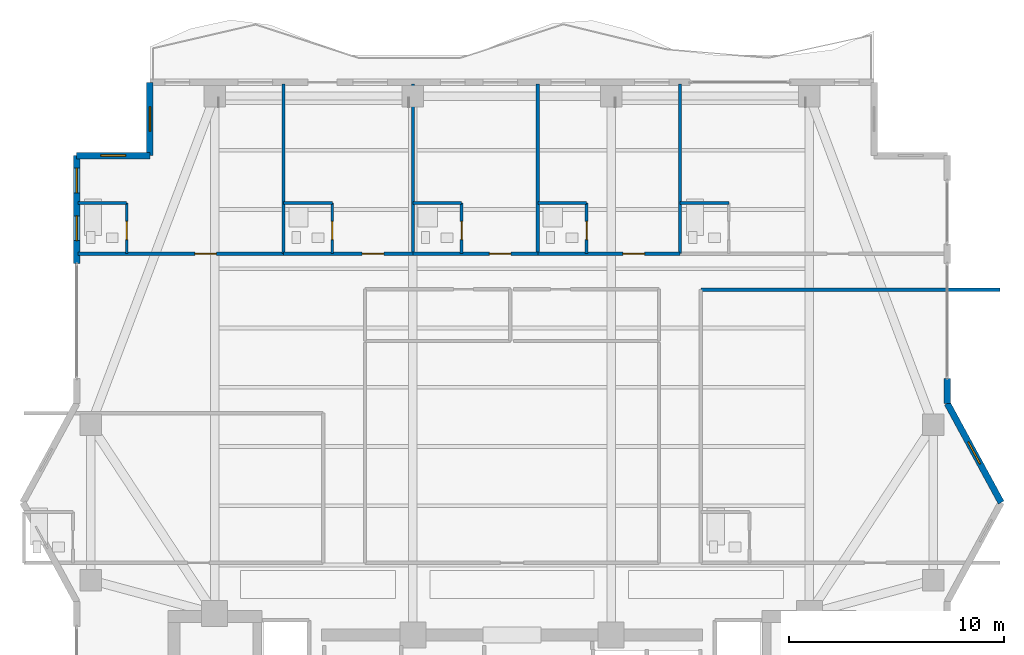
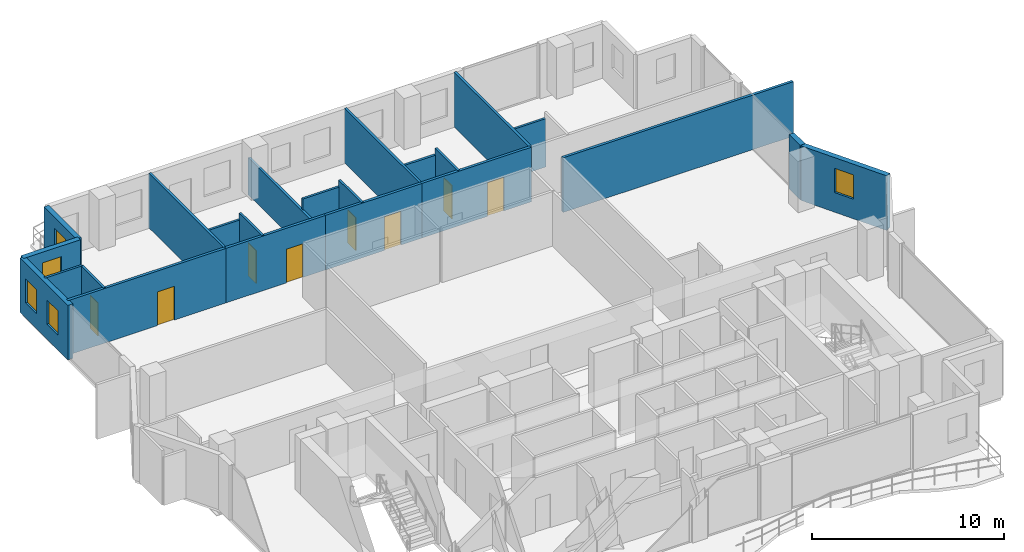
# One storey, part 23 of 28: 23 walls, 8 doors, 5 windows, 13 openings.
"""IFC4 building model written with IfcOpenShell, lengths in metres."""

import ifcopenshell
import ifcopenshell.guid

model = None  # the IFC model being written
_history = None  # IfcOwnerHistory: only IFC2X3 demands one
_inside = {}  # id of a spatial element -> (the spatial element, [elements in it])
_under = {}  # id of a project, library or spatial element -> (it, [spatial elements below it])
_declared = {}  # id of a project -> (the project, [libraries it declares])
_typed = {}  # id of a type object -> (the type object, [elements of that type])
_made_of = {}  # id of a material, layer set ... -> (it, [elements and type objects made of it])


def new_model(schema):
    """Start an empty IFC model of exactly this schema.

    Asked for "IFC4X3", IfcOpenShell would pick the latest addendum, in which some entities
    have other attributes; the version numbers below select the first issue.
    IFC2X3 requires an IfcOwnerHistory on every rooted entity: one is made here for all.
    """
    global model, _history
    if schema == "IFC4X3":
        model = ifcopenshell.file(schema_version=(4, 3, 0, 0))
    else:
        model = ifcopenshell.file(schema=schema)
    _inside.clear()
    _under.clear()
    _declared.clear()
    _typed.clear()
    _made_of.clear()
    _history = None
    if model.schema == "IFC2X3":
        org = make("IfcOrganization", Name="unknown")
        user = make(
            "IfcPersonAndOrganization",
            ThePerson=make("IfcPerson", FamilyName="unknown"),
            TheOrganization=org,
        )
        app = make(
            "IfcApplication",
            ApplicationDeveloper=org,
            Version="unknown",
            ApplicationFullName="unknown",
            ApplicationIdentifier="unknown",
        )
        _history = make(
            "IfcOwnerHistory",
            OwningUser=user,
            OwningApplication=app,
            ChangeAction="ADDED",
            CreationDate=0,
        )
    return model


def make(cls, **values):
    """One entity of the class cls with the attributes given. An attribute that is None is left unset."""
    return model.create_entity(
        cls, **{name: value for name, value in values.items() if value is not None}
    )


def rooted(cls, **values):
    """An entity with a GlobalId (a new one), such as an element, a storey or a relation."""
    return make(cls, GlobalId=ifcopenshell.guid.new(), OwnerHistory=_history, **values)


def si_unit(unit_type, name, prefix=None):
    """IfcSIUnit, for example si_unit("LENGTHUNIT", "METRE", prefix="MILLI")."""
    return make("IfcSIUnit", UnitType=unit_type, Prefix=prefix, Name=name)


def assignment(units):
    """IfcUnitAssignment: the units of a project."""
    return None if units is None else make("IfcUnitAssignment", Units=units)


def point(xyz):
    """IfcCartesianPoint."""
    return None if xyz is None else make("IfcCartesianPoint", Coordinates=xyz)


def direction(xyz):
    """IfcDirection."""
    return None if xyz is None else make("IfcDirection", DirectionRatios=xyz)


def frame(location, z_axis=None, x_axis=None):
    """IfcAxis2Placement3D, a coordinate frame: its origin and axes. An axis left out is left unset."""
    return make(
        "IfcAxis2Placement3D",
        Location=point(location),
        Axis=direction(z_axis),
        RefDirection=direction(x_axis),
    )


def frame_2d(location, x_axis=None):
    """IfcAxis2Placement2D, a coordinate frame in the plane: its origin and x axis."""
    return make(
        "IfcAxis2Placement2D", Location=point(location), RefDirection=direction(x_axis)
    )


def origin():
    """The frame at (0, 0, 0) with its axes left unset."""
    return frame((0.0, 0.0, 0.0))


def place(relative_to, where):
    """IfcLocalPlacement: puts the frame where relative to a parent placement (None: the world)."""
    return make(
        "IfcLocalPlacement", PlacementRelTo=relative_to, RelativePlacement=where
    )


def context(
    kind, dimensions, precision=None, world=None, true_north=None, identifier=None
):
    """IfcGeometricRepresentationContext, for example the 3D "Model" context."""
    return make(
        "IfcGeometricRepresentationContext",
        ContextIdentifier=identifier,
        ContextType=kind,
        CoordinateSpaceDimension=dimensions,
        Precision=precision,
        WorldCoordinateSystem=world,
        TrueNorth=true_north,
    )


def subcontext(parent, identifier, kind, view, scale=None):
    """IfcGeometricRepresentationSubContext, for example "Body" below "Model"."""
    return make(
        "IfcGeometricRepresentationSubContext",
        ContextIdentifier=identifier,
        ContextType=kind,
        ParentContext=parent,
        TargetScale=scale,
        TargetView=view,
    )


def project(units=None, contexts=None):
    """IfcProject with its units and contexts."""
    return rooted(
        "IfcProject",
        Name="project",
        RepresentationContexts=contexts,
        UnitsInContext=assignment(units),
    )


def spatial(cls, under=None, at=None, **own):
    """A site, building, storey or space (cls), placed at a placement, below another one or the project."""
    s = rooted(cls, ObjectPlacement=at, **own)
    if under is not None:
        _under.setdefault(under.id(), (under, []))[1].append(s)
    return s


def profile(cls, at=None, kind="AREA", **sizes):
    """A parametric profile (cls). Its sizes go by their IFC names, for example OverallWidth=200.0."""
    return make(cls, ProfileType=kind, Position=at, **sizes)


def rectangle(**sizes):
    """IfcRectangleProfileDef."""
    return profile("IfcRectangleProfileDef", **sizes)


def extrude(swept, where, along, depth):
    """IfcExtrudedAreaSolid: the profile swept, set in the frame where, extruded along a direction by depth."""
    return make(
        "IfcExtrudedAreaSolid",
        SweptArea=swept,
        Position=where,
        ExtrudedDirection=direction(along),
        Depth=depth,
    )


def shape(context_of_items, identifier, shape_type, items):
    """IfcShapeRepresentation: the items that make up one representation, for example the "Body"."""
    return make(
        "IfcShapeRepresentation",
        ContextOfItems=context_of_items,
        RepresentationIdentifier=identifier,
        RepresentationType=shape_type,
        Items=items,
    )


def material(Name=None, Category=None):
    """IfcMaterial."""
    return make("IfcMaterial", Name=Name, Category=Category)


def layer(
    of_material, thickness, ventilated=None, Name=None, Category=None, Priority=None
):
    """IfcMaterialLayer: one layer of a wall or slab, of a material (None: an air gap)."""
    return make(
        "IfcMaterialLayer",
        Material=of_material,
        LayerThickness=thickness,
        IsVentilated=ventilated,
        Name=Name,
        Category=Category,
        Priority=Priority,
    )


def layer_set(layers, Name=None):
    """IfcMaterialLayerSet."""
    return make("IfcMaterialLayerSet", MaterialLayers=layers, LayerSetName=Name)


def made_of(thing, what):
    """Note that an element or type object is made of a material, layer set ...; save() writes the relation."""
    if what is not None:
        _made_of.setdefault(what.id(), (what, []))[1].append(thing)
    return thing


def type_object(cls, material=None, **own):
    """A type object (cls), such as IfcWallType, which elements share."""
    return made_of(rooted(cls, **own), material)


def element(
    cls,
    number,
    at=None,
    inside=None,
    cuts=None,
    type_object=None,
    material=None,
    context=None,
    identifier="Body",
    shape_type=None,
    held_by="IfcProductDefinitionShape",
    body=None,
    shapes=None,
    **own,
):
    """One element of the class cls, such as IfcWall. Its Tag is "e" and its number.

    at: its placement. inside: the storey or other place that contains it. cuts: it is an
    opening in that element (IfcRelVoidsElement). A single representation is given by context,
    identifier, shape_type and body (its items); several are given by shapes. held_by: the class
    of the entity that holds the representations. save() writes the other relations.
    """
    e = rooted(cls, Tag="e%d" % number, ObjectPlacement=at, **own)
    if body is not None:
        shapes = [shape(context, identifier, shape_type, body)]
    if shapes is not None:
        e.Representation = make(held_by, Representations=shapes)
    if inside is not None:
        _inside.setdefault(inside.id(), (inside, []))[1].append(e)
    if cuts is not None:
        rooted(
            "IfcRelVoidsElement", RelatingBuildingElement=cuts, RelatedOpeningElement=e
        )
    if type_object is not None:
        _typed.setdefault(type_object.id(), (type_object, []))[1].append(e)
    return made_of(e, material)


def fill(opening, filler):
    """IfcRelFillsElement: the door or window that sits in an opening."""
    return rooted(
        "IfcRelFillsElement",
        RelatingOpeningElement=opening,
        RelatedBuildingElement=filler,
    )


def aggregate(whole, parts):
    """IfcRelAggregates: a whole, such as a stair, and the parts it consists of."""
    return rooted("IfcRelAggregates", RelatingObject=whole, RelatedObjects=parts)


def save(model, path):
    """Write the relations noted so far, then the file.

    IfcRelAggregates (storeys below a building ...), IfcRelContainedInSpatialStructure (elements
    in a storey), IfcRelDefinesByType, IfcRelAssociatesMaterial and IfcRelDeclares: one each for
    every whole, place, type object, material and project.
    """
    for whole, parts in _under.values():
        aggregate(whole, parts)
    for where, things in _inside.values():
        rooted(
            "IfcRelContainedInSpatialStructure",
            RelatedElements=things,
            RelatingStructure=where,
        )
    for kind, things in _typed.values():
        rooted("IfcRelDefinesByType", RelatedObjects=things, RelatingType=kind)
    for what, things in _made_of.values():
        rooted("IfcRelAssociatesMaterial", RelatedObjects=things, RelatingMaterial=what)
    for by, libraries in _declared.values():
        rooted("IfcRelDeclares", RelatingContext=by, RelatedDefinitions=libraries)
    model.write(path)


model = new_model("IFC4")

# Units and contexts
model_context = context("Model", 3, precision=1e-05, world=origin(), true_north=direction((0.0, 1.0)))
body_context = subcontext(model_context, "Body", "Model", "MODEL_VIEW")
ifc_project = project(units=[si_unit("LENGTHUNIT", "METRE"), si_unit("AREAUNIT", "SQUARE_METRE"), si_unit("VOLUMEUNIT", "CUBIC_METRE"), si_unit("PLANEANGLEUNIT", "RADIAN"), si_unit("MASSUNIT", "GRAM", prefix="KILO")], contexts=[model_context])

# Site, building, storey
site_placement = place(None, origin())
site = spatial("IfcSite", under=ifc_project, at=site_placement, CompositionType="ELEMENT")
building_placement = place(site_placement, origin())
building = spatial("IfcBuilding", under=site, at=building_placement, Name="Zuhayl Quay Hotel", CompositionType="ELEMENT")
storey_placement = place(building_placement, frame((0.0, 0.0, 239.64990234375)))
storey = spatial("IfcBuildingStorey", under=building, at=storey_placement, Name="L60", CompositionType="ELEMENT", Elevation=239.64990234375)

# Wall, openings, windows
ifc_material_1 = material(Name="Precast concrete C45/55", Category="concrete")
ifc_layer_1 = layer(ifc_material_1, 0.300048828125, Name="Precast concrete C45/55", Category="concrete")
ifc_layer_set_1 = layer_set([ifc_layer_1], Name="Precast concrete C45/55")
wall_type_1 = type_object("IfcWallType", Name="WL_EXT_300", PredefinedType="STANDARD", material=ifc_layer_set_1)
wall_1_placement = place(storey_placement, frame((-20.199951171875, 30.60009765625, 0.0), z_axis=(0.0, 0.0, 1.0), x_axis=(0.0, 1.0, 0.0)))
wall_1 = element("IfcWall", 1, at=wall_1_placement, inside=storey, type_object=wall_type_1, Name="L60 Exterior Precast Wall ENV_L60_E05_EW2", PredefinedType="STANDARD", context=body_context, shape_type="SweptSolid", body=[
    extrude(rectangle(XDim=5.0, YDim=0.300048828125, at=frame_2d((2.5, 0.0))), origin(), (0.0, 0.0, 1.0), 3.47998046875),
])
opening_1_placement = place(wall_1_placement, frame((1.054931640625, 0.0, 0.949951171875)))
opening_1 = element("IfcOpeningElement", 2, at=opening_1_placement, cuts=wall_1, Name="Opening W01N", PredefinedType="OPENING", context=body_context, shape_type="SweptSolid", body=[
    extrude(rectangle(XDim=1.14990234375, YDim=1.550048828125, at=frame_2d((0.574951171875, 0.77490234375))), frame((0.0, 0.159912109375, 0.0), z_axis=(0.0, -1.0, 0.0), x_axis=(1.0, 0.0, 0.0)), (0.0, 0.0, 1.0), 0.320068359375),
])
opening_2_placement = place(wall_1_placement, frame((3.27001953125, 0.0, 0.949951171875)))
opening_2 = element("IfcOpeningElement", 3, at=opening_2_placement, cuts=wall_1, Name="Opening W01N", PredefinedType="OPENING", context=body_context, shape_type="SweptSolid", body=[
    extrude(rectangle(XDim=1.14990234375, YDim=1.550048828125, at=frame_2d((0.574951171875, 0.77490234375))), frame((0.0, 0.159912109375, 0.0), z_axis=(0.0, -1.0, 0.0), x_axis=(1.0, 0.0, 0.0)), (0.0, 0.0, 1.0), 0.320068359375),
])
ifc_material_2 = material(Name="Dark Ceramic-Fritted Solar Glass", Category="glass")
window_type = type_object("IfcWindowType", Name="WN_NOTCH_1350", PartitioningType="SINGLE_PANEL", PredefinedType="WINDOW", material=ifc_material_2)
window_1_placement = place(opening_1_placement, origin())
window_1 = element("IfcWindow", 4, at=window_1_placement, inside=storey, type_object=window_type, Name="L60 Operable Facade Window 2-1", OverallHeight=1.550048828125, OverallWidth=1.14990234375, PartitioningType="SINGLE_PANEL", PredefinedType="WINDOW", context=body_context, shape_type="SweptSolid", body=[
    extrude(rectangle(XDim=1.14990234375, YDim=1.550048828125, at=frame_2d((0.574951171875, 0.77490234375))), frame((0.0, 0.030029296875, 0.0), z_axis=(0.0, -1.0, 0.0), x_axis=(1.0, 0.0, 0.0)), (0.0, 0.0, 1.0), 0.06005859375),
])
fill(opening_1, window_1)
window_2_placement = place(opening_2_placement, origin())
window_2 = element("IfcWindow", 5, at=window_2_placement, inside=storey, type_object=window_type, Name="L60 Operable Facade Window 2-2", OverallHeight=1.550048828125, OverallWidth=1.14990234375, PartitioningType="SINGLE_PANEL", PredefinedType="WINDOW", context=body_context, shape_type="SweptSolid", body=[
    extrude(rectangle(XDim=1.14990234375, YDim=1.550048828125, at=frame_2d((0.574951171875, 0.77490234375))), frame((0.0, 0.030029296875, 0.0), z_axis=(0.0, -1.0, 0.0), x_axis=(1.0, 0.0, 0.0)), (0.0, 0.0, 1.0), 0.06005859375),
])
fill(opening_2, window_2)

# Wall, opening, window
wall_2_placement = place(storey_placement, frame((-20.199951171875, 35.60009765625, 0.0), z_axis=(0.0, 0.0, 1.0), x_axis=(1.0, 0.0, 0.0)))
wall_2 = element("IfcWall", 6, at=wall_2_placement, inside=storey, type_object=wall_type_1, Name="L60 Exterior Precast Wall ENV_L60_EW06", PredefinedType="STANDARD", context=body_context, shape_type="SweptSolid", body=[
    extrude(rectangle(XDim=3.39990234375, YDim=0.300048828125, at=frame_2d((1.699951171875, 0.0))), origin(), (0.0, 0.0, 1.0), 3.47998046875),
])
opening_3_placement = place(wall_2_placement, frame((1.125, 0.0, 1.25)))
opening_3 = element("IfcOpeningElement", 7, at=opening_3_placement, cuts=wall_2, Name="Opening W01N", PredefinedType="OPENING", context=body_context, shape_type="SweptSolid", body=[
    extrude(rectangle(XDim=1.14990234375, YDim=1.550048828125, at=frame_2d((0.574951171875, 0.77490234375))), frame((0.0, 0.159912109375, 0.0), z_axis=(0.0, -1.0, 0.0), x_axis=(1.0, 0.0, 0.0)), (0.0, 0.0, 1.0), 0.320068359375),
])
window_3_placement = place(opening_3_placement, origin())
window_3 = element("IfcWindow", 8, at=window_3_placement, inside=storey, type_object=window_type, Name="L60 Corner Notch Window 6", OverallHeight=1.550048828125, OverallWidth=1.14990234375, PartitioningType="SINGLE_PANEL", PredefinedType="WINDOW", context=body_context, shape_type="SweptSolid", body=[
    extrude(rectangle(XDim=1.14990234375, YDim=1.550048828125, at=frame_2d((0.574951171875, 0.77490234375))), frame((0.0, 0.030029296875, 0.0), z_axis=(0.0, -1.0, 0.0), x_axis=(1.0, 0.0, 0.0)), (0.0, 0.0, 1.0), 0.06005859375),
])
fill(opening_3, window_3)

wall_3_placement = place(storey_placement, frame((-16.800048828125, 35.60009765625, 0.0), z_axis=(0.0, 0.0, 1.0), x_axis=(0.0, 1.0, 0.0)))
wall_3 = element("IfcWall", 9, at=wall_3_placement, inside=storey, type_object=wall_type_1, Name="L60 Exterior Precast Wall ENV_L60_EW07", PredefinedType="STANDARD", context=body_context, shape_type="SweptSolid", body=[
    extrude(rectangle(XDim=3.39990234375, YDim=0.300048828125, at=frame_2d((1.699951171875, 0.0))), origin(), (0.0, 0.0, 1.0), 3.47998046875),
])
opening_4_placement = place(wall_3_placement, frame((1.125, 0.0, 1.25)))
opening_4 = element("IfcOpeningElement", 10, at=opening_4_placement, cuts=wall_3, Name="Opening W01N", PredefinedType="OPENING", context=body_context, shape_type="SweptSolid", body=[
    extrude(rectangle(XDim=1.14990234375, YDim=1.550048828125, at=frame_2d((0.574951171875, 0.77490234375))), frame((0.0, 0.159912109375, 0.0), z_axis=(0.0, -1.0, 0.0), x_axis=(1.0, 0.0, 0.0)), (0.0, 0.0, 1.0), 0.320068359375),
])
window_4_placement = place(opening_4_placement, origin())
window_4 = element("IfcWindow", 11, at=window_4_placement, inside=storey, type_object=window_type, Name="L60 Corner Notch Window 7", OverallHeight=1.550048828125, OverallWidth=1.14990234375, PartitioningType="SINGLE_PANEL", PredefinedType="WINDOW", context=body_context, shape_type="SweptSolid", body=[
    extrude(rectangle(XDim=1.14990234375, YDim=1.550048828125, at=frame_2d((0.574951171875, 0.77490234375))), frame((0.0, 0.030029296875, 0.0), z_axis=(0.0, -1.0, 0.0), x_axis=(1.0, 0.0, 0.0)), (0.0, 0.0, 1.0), 0.06005859375),
])
fill(opening_4, window_4)

# Wall
wall_4_placement = place(storey_placement, frame((20.199951171875, 25.25, 0.0), z_axis=(0.0, 0.0, 1.0), x_axis=(0.0, -1.0, 0.0)))
element("IfcWall", 12, at=wall_4_placement, inside=storey, type_object=wall_type_1, Name="L60 Exterior Precast Wall ENV_L60_E11_EW3", PredefinedType="STANDARD", context=body_context, shape_type="SweptSolid", body=[
    extrude(rectangle(XDim=1.14990234375, YDim=0.300048828125, at=frame_2d((0.574951171875, 0.0))), origin(), (0.0, 0.0, 1.0), 3.47998046875),
])

# Wall, opening, window
wall_5_placement = place(storey_placement, frame((20.199951171875, 24.10009765625, 0.0), z_axis=(0.0, 0.0, 1.0), x_axis=(0.477505494629, -0.878628762675, 0.0)))
wall_5 = element("IfcWall", 13, at=wall_5_placement, inside=storey, type_object=wall_type_1, Name="L60 Exterior Precast Wall ENV_L60_EW12", PredefinedType="STANDARD", context=body_context, shape_type="SweptSolid", body=[
    extrude(rectangle(XDim=5.235595703125, YDim=0.300048828125, at=frame_2d((2.61767578125, 0.0))), origin(), (0.0, 0.0, 1.0), 3.47998046875),
])
opening_5_placement = place(wall_5_placement, frame((2.042724609375, 0.0, 1.25)))
opening_5 = element("IfcOpeningElement", 14, at=opening_5_placement, cuts=wall_5, Name="Opening W01N", PredefinedType="OPENING", context=body_context, shape_type="SweptSolid", body=[
    extrude(rectangle(XDim=1.14990234375, YDim=1.550048828125, at=frame_2d((0.574951171875, 0.77490234375))), frame((0.0, 0.159912109375, 0.0), z_axis=(0.0, -1.0, 0.0), x_axis=(1.0, 0.0, 0.0)), (0.0, 0.0, 1.0), 0.320068359375),
])
window_5_placement = place(opening_5_placement, origin())
window_5 = element("IfcWindow", 15, at=window_5_placement, inside=storey, type_object=window_type, Name="L60 Corner Notch Window 12", OverallHeight=1.550048828125, OverallWidth=1.14990234375, PartitioningType="SINGLE_PANEL", PredefinedType="WINDOW", context=body_context, shape_type="SweptSolid", body=[
    extrude(rectangle(XDim=1.14990234375, YDim=1.550048828125, at=frame_2d((0.574951171875, 0.77490234375))), frame((0.0, 0.030029296875, 0.0), z_axis=(0.0, -1.0, 0.0), x_axis=(1.0, 0.0, 0.0)), (0.0, 0.0, 1.0), 0.06005859375),
])
fill(opening_5, window_5)

# Walls
ifc_material_3 = material(Name="Acoustic Gypsum Partition STC-58")
ifc_layer_2 = layer(ifc_material_3, 0.14990234375, Name="Acoustic Gypsum Partition STC-58")
ifc_layer_set_2 = layer_set([ifc_layer_2], Name="Acoustic Gypsum Partition STC-58")
wall_type_2 = type_object("IfcWallType", Name="WL_PART_150", PredefinedType="PARTITIONING", material=ifc_layer_set_2)
wall_6_placement = place(storey_placement, frame((-10.60009765625, 31.050048828125, 0.0), z_axis=(0.0, 0.0, 1.0), x_axis=(0.0, 1.0, 0.0)))
element("IfcWall", 16, at=wall_6_placement, inside=storey, type_object=wall_type_2, Name="L60 Partition IW_L60_NU01_E", PredefinedType="PARTITIONING", context=body_context, shape_type="SweptSolid", body=[
    extrude(rectangle(XDim=7.869873046875, YDim=0.14990234375, at=frame_2d((3.93505859375, 0.0))), origin(), (0.0, 0.0, 1.0), 3.47998046875),
])
wall_7_placement = place(storey_placement, frame((-4.60009765625, 31.050048828125, 0.0), z_axis=(0.0, 0.0, 1.0), x_axis=(0.0, 1.0, 0.0)))
element("IfcWall", 17, at=wall_7_placement, inside=storey, type_object=wall_type_2, Name="L60 Partition IW_L60_NU02_E", PredefinedType="PARTITIONING", context=body_context, shape_type="SweptSolid", body=[
    extrude(rectangle(XDim=7.869873046875, YDim=0.14990234375, at=frame_2d((3.93505859375, 0.0))), origin(), (0.0, 0.0, 1.0), 2.362060546875),
])
for number, where, z_axis, x_axis, name in (
    (18, (1.199951171875, 31.050048828125, 0.0), (0.0, 0.0, 1.0), (0.0, 1.0, 0.0), "L60 Partition IW_L60_NU03_E"),
    (19, (7.800048828125, 31.050048828125, 0.0), (0.0, 0.0, 1.0), (0.0, 1.0, 0.0), "L60 Partition IW_L60_NU04_E"),
):
    element("IfcWall", number, at=place(storey_placement, frame(where, z_axis=z_axis, x_axis=x_axis)), inside=storey, type_object=wall_type_2, Name=name, PredefinedType="PARTITIONING", context=body_context, shape_type="SweptSolid", body=[
        extrude(rectangle(XDim=7.869873046875, YDim=0.14990234375, at=frame_2d((3.93505859375, 0.0))), origin(), (0.0, 0.0, 1.0), 3.47998046875),
    ])

# Wall, opening, door
ifc_layer_3 = layer(ifc_material_3, 0.159912109375, Name="Acoustic Gypsum Partition STC-58")
ifc_layer_set_3 = layer_set([ifc_layer_3], Name="Acoustic Gypsum Partition STC-58")
wall_type_3 = type_object("IfcWallType", Name="WL_PART_CORR_160", PredefinedType="PARTITIONING", material=ifc_layer_set_3)
wall_8_placement = place(storey_placement, frame((-20.139892578125, 31.050048828125, 0.0), z_axis=(0.0, 0.0, 1.0), x_axis=(1.0, 0.0, 0.0)))
wall_8 = element("IfcWall", 20, at=wall_8_placement, inside=storey, type_object=wall_type_3, Name="L60 Partition IW_L60_NU01_COR", PredefinedType="PARTITIONING", context=body_context, shape_type="SweptSolid", body=[
    extrude(rectangle(XDim=9.539794921875, YDim=0.159912109375, at=frame_2d((4.77001953125, 0.0))), origin(), (0.0, 0.0, 1.0), 3.47998046875),
])
opening_6_placement = place(wall_8_placement, frame((5.419921875, 0.0, 0.0)))
opening_6 = element("IfcOpeningElement", 21, at=opening_6_placement, cuts=wall_8, Name="Opening D03L", PredefinedType="OPENING", context=body_context, shape_type="SweptSolid", body=[
    extrude(rectangle(XDim=1.0, YDim=2.14990234375, at=frame_2d((0.5, 1.074951171875))), frame((0.0, 0.08984375, 0.0), z_axis=(0.0, -1.0, 0.0), x_axis=(1.0, 0.0, 0.0)), (0.0, 0.0, 1.0), 0.179931640625),
])
ifc_material_4 = material(Name="Solid Walnut Acoustic Fire Door")
door_type_1 = type_object("IfcDoorType", Name="DR_SUITE_1000", OperationType="NOTDEFINED", PredefinedType="DOOR", material=ifc_material_4)
door_1_placement = place(opening_6_placement, origin())
door_1 = element("IfcDoor", 22, at=door_1_placement, inside=storey, type_object=door_type_1, Name="L60 Royal Gulf Suite L60-01 Entrance Door", OperationType="SINGLE_SWING_RIGHT", OverallHeight=2.14990234375, OverallWidth=1.0, PredefinedType="DOOR", context=body_context, shape_type="SweptSolid", body=[
    extrude(rectangle(XDim=1.0, YDim=2.14990234375, at=frame_2d((0.5, 1.074951171875))), frame((0.0, 0.02490234375, 0.0), z_axis=(0.0, -1.0, 0.0), x_axis=(1.0, 0.0, 0.0)), (0.0, 0.0, 1.0), 0.050048828125),
])
fill(opening_6, door_1)

wall_9_placement = place(storey_placement, frame((-10.60009765625, 31.050048828125, 0.0), z_axis=(0.0, 0.0, 1.0), x_axis=(1.0, 0.0, 0.0)))
wall_9 = element("IfcWall", 23, at=wall_9_placement, inside=storey, type_object=wall_type_3, Name="L60 Partition IW_L60_NU02_COR", PredefinedType="PARTITIONING", context=body_context, shape_type="SweptSolid", body=[
    extrude(rectangle(XDim=6.0, YDim=0.159912109375, at=frame_2d((3.0, 0.0))), origin(), (0.0, 0.0, 1.0), 3.47998046875),
])
opening_7_placement = place(wall_9_placement, frame((3.64990234375, 0.0, 0.0)))
opening_7 = element("IfcOpeningElement", 24, at=opening_7_placement, cuts=wall_9, Name="Opening D03L", PredefinedType="OPENING", context=body_context, shape_type="SweptSolid", body=[
    extrude(rectangle(XDim=1.0, YDim=2.14990234375, at=frame_2d((0.5, 1.074951171875))), frame((0.0, 0.08984375, 0.0), z_axis=(0.0, -1.0, 0.0), x_axis=(1.0, 0.0, 0.0)), (0.0, 0.0, 1.0), 0.179931640625),
])
door_2_placement = place(opening_7_placement, origin())
door_2 = element("IfcDoor", 25, at=door_2_placement, inside=storey, type_object=door_type_1, Name="L60 Royal Gulf Suite L60-02 Entrance Door", OperationType="SINGLE_SWING_RIGHT", OverallHeight=2.14990234375, OverallWidth=1.0, PredefinedType="DOOR", context=body_context, shape_type="SweptSolid", body=[
    extrude(rectangle(XDim=1.0, YDim=2.14990234375, at=frame_2d((0.5, 1.074951171875))), frame((0.0, 0.02490234375, 0.0), z_axis=(0.0, -1.0, 0.0), x_axis=(1.0, 0.0, 0.0)), (0.0, 0.0, 1.0), 0.050048828125),
])
fill(opening_7, door_2)

wall_10_placement = place(storey_placement, frame((-4.60009765625, 31.050048828125, 0.0), z_axis=(0.0, 0.0, 1.0), x_axis=(1.0, 0.0, 0.0)))
wall_10 = element("IfcWall", 26, at=wall_10_placement, inside=storey, type_object=wall_type_3, Name="L60 Partition IW_L60_NU03_COR", PredefinedType="PARTITIONING", context=body_context, shape_type="SweptSolid", body=[
    extrude(rectangle(XDim=5.800048828125, YDim=0.159912109375, at=frame_2d((2.89990234375, 0.0))), origin(), (0.0, 0.0, 1.0), 3.47998046875),
])
opening_8_placement = place(wall_10_placement, frame((3.550048828125, 0.0, 0.0)))
opening_8 = element("IfcOpeningElement", 27, at=opening_8_placement, cuts=wall_10, Name="Opening D03L", PredefinedType="OPENING", context=body_context, shape_type="SweptSolid", body=[
    extrude(rectangle(XDim=1.0, YDim=2.14990234375, at=frame_2d((0.5, 1.074951171875))), frame((0.0, 0.08984375, 0.0), z_axis=(0.0, -1.0, 0.0), x_axis=(1.0, 0.0, 0.0)), (0.0, 0.0, 1.0), 0.179931640625),
])
door_3_placement = place(opening_8_placement, origin())
door_3 = element("IfcDoor", 28, at=door_3_placement, inside=storey, type_object=door_type_1, Name="L60 Royal Gulf Suite L60-03 Entrance Door", OperationType="SINGLE_SWING_RIGHT", OverallHeight=2.14990234375, OverallWidth=1.0, PredefinedType="DOOR", context=body_context, shape_type="SweptSolid", body=[
    extrude(rectangle(XDim=1.0, YDim=2.14990234375, at=frame_2d((0.5, 1.074951171875))), frame((0.0, 0.02490234375, 0.0), z_axis=(0.0, -1.0, 0.0), x_axis=(1.0, 0.0, 0.0)), (0.0, 0.0, 1.0), 0.050048828125),
])
fill(opening_8, door_3)

wall_11_placement = place(storey_placement, frame((1.199951171875, 31.050048828125, 0.0), z_axis=(0.0, 0.0, 1.0), x_axis=(1.0, 0.0, 0.0)))
wall_11 = element("IfcWall", 29, at=wall_11_placement, inside=storey, type_object=wall_type_3, Name="L60 Partition IW_L60_NU04_COR", PredefinedType="PARTITIONING", context=body_context, shape_type="SweptSolid", body=[
    extrude(rectangle(XDim=6.60009765625, YDim=0.159912109375, at=frame_2d((3.300048828125, 0.0))), origin(), (0.0, 0.0, 1.0), 3.47998046875),
])
opening_9_placement = place(wall_11_placement, frame((3.949951171875, 0.0, 0.0)))
opening_9 = element("IfcOpeningElement", 30, at=opening_9_placement, cuts=wall_11, Name="Opening D03L", PredefinedType="OPENING", context=body_context, shape_type="SweptSolid", body=[
    extrude(rectangle(XDim=1.0, YDim=2.14990234375, at=frame_2d((0.5, 1.074951171875))), frame((0.0, 0.08984375, 0.0), z_axis=(0.0, -1.0, 0.0), x_axis=(1.0, 0.0, 0.0)), (0.0, 0.0, 1.0), 0.179931640625),
])
door_4_placement = place(opening_9_placement, origin())
door_4 = element("IfcDoor", 31, at=door_4_placement, inside=storey, type_object=door_type_1, Name="L60 Royal Gulf Suite L60-04 Entrance Door", OperationType="SINGLE_SWING_RIGHT", OverallHeight=2.14990234375, OverallWidth=1.0, PredefinedType="DOOR", context=body_context, shape_type="SweptSolid", body=[
    extrude(rectangle(XDim=1.0, YDim=2.14990234375, at=frame_2d((0.5, 1.074951171875))), frame((0.0, 0.02490234375, 0.0), z_axis=(0.0, -1.0, 0.0), x_axis=(1.0, 0.0, 0.0)), (0.0, 0.0, 1.0), 0.050048828125),
])
fill(opening_9, door_4)

# Wall
wall_12_placement = place(storey_placement, frame((8.760009765625, 29.3798828125, 0.0), z_axis=(0.0, 0.0, 1.0), x_axis=(1.0, 0.0, 0.0)))
element("IfcWall", 32, at=wall_12_placement, inside=storey, type_object=wall_type_3, Name="L60 Partition IW_L60_EU01_BK", PredefinedType="PARTITIONING", context=body_context, shape_type="SweptSolid", body=[
    extrude(rectangle(XDim=13.8798828125, YDim=0.159912109375, at=frame_2d((6.93994140625, 0.0))), origin(), (0.0, 0.0, 1.0), 3.47998046875),
])

# Wall, opening, door
ifc_material_5 = material(Name="Moisture-Resistant Sanitarychase Gypsum")
ifc_layer_4 = layer(ifc_material_5, 0.135009765625, Name="Moisture-Resistant Sanitarychase Gypsum")
ifc_layer_set_4 = layer_set([ifc_layer_4], Name="Moisture-Resistant Sanitarychase Gypsum")
wall_type_4 = type_object("IfcWallType", Name="WL_PART_PLUMB_150", PredefinedType="PLUMBINGWALL", material=ifc_layer_set_4)
wall_13_placement = place(storey_placement, frame((-17.8798828125, 31.050048828125, 0.0), z_axis=(0.0, 0.0, 1.0), x_axis=(0.0, 1.0, 0.0)))
wall_13 = element("IfcWall", 33, at=wall_13_placement, inside=storey, type_object=wall_type_4, Name="L60 Partition IW_L60_NU01_BE", PredefinedType="PLUMBINGWALL", context=body_context, shape_type="SweptSolid", body=[
    extrude(rectangle(XDim=2.35986328125, YDim=0.135009765625, at=frame_2d((1.179931640625, 0.0))), origin(), (0.0, 0.0, 1.0), 3.47998046875),
])
opening_10_placement = place(wall_13_placement, frame((0.64990234375, 0.0, 0.0)))
opening_10 = element("IfcOpeningElement", 34, at=opening_10_placement, cuts=wall_13, Name="Opening D04", PredefinedType="OPENING", context=body_context, shape_type="SweptSolid", body=[
    extrude(rectangle(XDim=0.85009765625, YDim=2.10009765625, at=frame_2d((0.425048828125, 1.050048828125))), frame((0.0, 0.077392578125, 0.0), z_axis=(0.0, -1.0, 0.0), x_axis=(1.0, 0.0, 0.0)), (0.0, 0.0, 1.0), 0.155029296875),
])
ifc_material_6 = material(Name="Moisture-Resistant Walnut Veneer")
door_type_2 = type_object("IfcDoorType", Name="DR_BATH_850", OperationType="NOTDEFINED", PredefinedType="DOOR", material=ifc_material_6)
door_5_placement = place(opening_10_placement, origin())
door_5 = element("IfcDoor", 35, at=door_5_placement, inside=storey, type_object=door_type_2, Name="L60 Royal Gulf Suite L60-01 En-Suite Door", OperationType="SINGLE_SWING_LEFT", OverallHeight=2.10009765625, OverallWidth=0.85009765625, PredefinedType="DOOR", context=body_context, shape_type="SweptSolid", body=[
    extrude(rectangle(XDim=0.85009765625, YDim=2.10009765625, at=frame_2d((0.425048828125, 1.050048828125))), frame((0.0, 0.02490234375, 0.0), z_axis=(0.0, -1.0, 0.0), x_axis=(1.0, 0.0, 0.0)), (0.0, 0.0, 1.0), 0.050048828125),
])
fill(opening_10, door_5)

wall_14_placement = place(storey_placement, frame((-8.340087890625, 31.050048828125, 0.0), z_axis=(0.0, 0.0, 1.0), x_axis=(0.0, 1.0, 0.0)))
wall_14 = element("IfcWall", 36, at=wall_14_placement, inside=storey, type_object=wall_type_4, Name="L60 Partition IW_L60_NU02_BE", PredefinedType="PLUMBINGWALL", context=body_context, shape_type="SweptSolid", body=[
    extrude(rectangle(XDim=2.35986328125, YDim=0.135009765625, at=frame_2d((1.179931640625, 0.0))), origin(), (0.0, 0.0, 1.0), 3.47998046875),
])
opening_11_placement = place(wall_14_placement, frame((0.64990234375, 0.0, 0.0)))
opening_11 = element("IfcOpeningElement", 37, at=opening_11_placement, cuts=wall_14, Name="Opening D04", PredefinedType="OPENING", context=body_context, shape_type="SweptSolid", body=[
    extrude(rectangle(XDim=0.85009765625, YDim=2.10009765625, at=frame_2d((0.425048828125, 1.050048828125))), frame((0.0, 0.077392578125, 0.0), z_axis=(0.0, -1.0, 0.0), x_axis=(1.0, 0.0, 0.0)), (0.0, 0.0, 1.0), 0.155029296875),
])
door_6_placement = place(opening_11_placement, origin())
door_6 = element("IfcDoor", 38, at=door_6_placement, inside=storey, type_object=door_type_2, Name="L60 Royal Gulf Suite L60-02 En-Suite Door", OperationType="SINGLE_SWING_LEFT", OverallHeight=2.10009765625, OverallWidth=0.85009765625, PredefinedType="DOOR", context=body_context, shape_type="SweptSolid", body=[
    extrude(rectangle(XDim=0.85009765625, YDim=2.10009765625, at=frame_2d((0.425048828125, 1.050048828125))), frame((0.0, 0.02490234375, 0.0), z_axis=(0.0, -1.0, 0.0), x_axis=(1.0, 0.0, 0.0)), (0.0, 0.0, 1.0), 0.050048828125),
])
fill(opening_11, door_6)

wall_15_placement = place(storey_placement, frame((-2.340087890625, 31.050048828125, 0.0), z_axis=(0.0, 0.0, 1.0), x_axis=(0.0, 1.0, 0.0)))
wall_15 = element("IfcWall", 39, at=wall_15_placement, inside=storey, type_object=wall_type_4, Name="L60 Partition IW_L60_NU03_BE", PredefinedType="PLUMBINGWALL", context=body_context, shape_type="SweptSolid", body=[
    extrude(rectangle(XDim=2.35986328125, YDim=0.135009765625, at=frame_2d((1.179931640625, 0.0))), origin(), (0.0, 0.0, 1.0), 3.47998046875),
])
opening_12_placement = place(wall_15_placement, frame((0.64990234375, 0.0, 0.0)))
opening_12 = element("IfcOpeningElement", 40, at=opening_12_placement, cuts=wall_15, Name="Opening D04", PredefinedType="OPENING", context=body_context, shape_type="SweptSolid", body=[
    extrude(rectangle(XDim=0.85009765625, YDim=2.10009765625, at=frame_2d((0.425048828125, 1.050048828125))), frame((0.0, 0.077392578125, 0.0), z_axis=(0.0, -1.0, 0.0), x_axis=(1.0, 0.0, 0.0)), (0.0, 0.0, 1.0), 0.155029296875),
])
door_7_placement = place(opening_12_placement, origin())
door_7 = element("IfcDoor", 41, at=door_7_placement, inside=storey, type_object=door_type_2, Name="L60 Royal Gulf Suite L60-03 En-Suite Door", OperationType="SINGLE_SWING_LEFT", OverallHeight=2.10009765625, OverallWidth=0.85009765625, PredefinedType="DOOR", context=body_context, shape_type="SweptSolid", body=[
    extrude(rectangle(XDim=0.85009765625, YDim=2.10009765625, at=frame_2d((0.425048828125, 1.050048828125))), frame((0.0, 0.02490234375, 0.0), z_axis=(0.0, -1.0, 0.0), x_axis=(1.0, 0.0, 0.0)), (0.0, 0.0, 1.0), 0.050048828125),
])
fill(opening_12, door_7)

wall_16_placement = place(storey_placement, frame((3.4599609375, 31.050048828125, 0.0), z_axis=(0.0, 0.0, 1.0), x_axis=(0.0, 1.0, 0.0)))
wall_16 = element("IfcWall", 42, at=wall_16_placement, inside=storey, type_object=wall_type_4, Name="L60 Partition IW_L60_NU04_BE", PredefinedType="PLUMBINGWALL", context=body_context, shape_type="SweptSolid", body=[
    extrude(rectangle(XDim=2.35986328125, YDim=0.135009765625, at=frame_2d((1.179931640625, 0.0))), origin(), (0.0, 0.0, 1.0), 3.47998046875),
])
opening_13_placement = place(wall_16_placement, frame((0.64990234375, 0.0, 0.0)))
opening_13 = element("IfcOpeningElement", 43, at=opening_13_placement, cuts=wall_16, Name="Opening D04", PredefinedType="OPENING", context=body_context, shape_type="SweptSolid", body=[
    extrude(rectangle(XDim=0.85009765625, YDim=2.10009765625, at=frame_2d((0.425048828125, 1.050048828125))), frame((0.0, 0.077392578125, 0.0), z_axis=(0.0, -1.0, 0.0), x_axis=(1.0, 0.0, 0.0)), (0.0, 0.0, 1.0), 0.155029296875),
])
door_8_placement = place(opening_13_placement, origin())
door_8 = element("IfcDoor", 44, at=door_8_placement, inside=storey, type_object=door_type_2, Name="L60 Royal Gulf Suite L60-04 En-Suite Door", OperationType="SINGLE_SWING_LEFT", OverallHeight=2.10009765625, OverallWidth=0.85009765625, PredefinedType="DOOR", context=body_context, shape_type="SweptSolid", body=[
    extrude(rectangle(XDim=0.85009765625, YDim=2.10009765625, at=frame_2d((0.425048828125, 1.050048828125))), frame((0.0, 0.02490234375, 0.0), z_axis=(0.0, -1.0, 0.0), x_axis=(1.0, 0.0, 0.0)), (0.0, 0.0, 1.0), 0.050048828125),
])
fill(opening_13, door_8)

# Walls
wall_17_placement = place(storey_placement, frame((-20.139892578125, 33.409912109375, 0.0), z_axis=(0.0, 0.0, 1.0), x_axis=(1.0, 0.0, 0.0)))
element("IfcWall", 45, at=wall_17_placement, inside=storey, type_object=wall_type_4, Name="L60 Partition IW_L60_NU01_BN", PredefinedType="PLUMBINGWALL", context=body_context, shape_type="SweptSolid", body=[
    extrude(rectangle(XDim=2.260009765625, YDim=0.135009765625, at=frame_2d((1.1298828125, 0.0))), origin(), (0.0, 0.0, 1.0), 3.47998046875),
])
for number, where, z_axis, x_axis, name in (
    (46, (-10.60009765625, 33.409912109375, 0.0), (0.0, 0.0, 1.0), (1.0, 0.0, 0.0), "L60 Partition IW_L60_NU02_BN"),
    (47, (-4.60009765625, 33.409912109375, 0.0), (0.0, 0.0, 1.0), (1.0, 0.0, 0.0), "L60 Partition IW_L60_NU03_BN"),
    (48, (1.199951171875, 33.409912109375, 0.0), (0.0, 0.0, 1.0), (1.0, 0.0, 0.0), "L60 Partition IW_L60_NU04_BN"),
    (49, (7.800048828125, 33.409912109375, 0.0), (0.0, 0.0, 1.0), (1.0, 0.0, 0.0), "L60 Partition IW_L60_NU05_BN"),
):
    element("IfcWall", number, at=place(storey_placement, frame(where, z_axis=z_axis, x_axis=x_axis)), inside=storey, type_object=wall_type_4, Name=name, PredefinedType="PLUMBINGWALL", context=body_context, shape_type="SweptSolid", body=[
        extrude(rectangle(XDim=2.260009765625, YDim=0.135009765625, at=frame_2d((1.1298828125, 0.0))), origin(), (0.0, 0.0, 1.0), 3.076171875),
    ])

save(model, "model.ifc")
